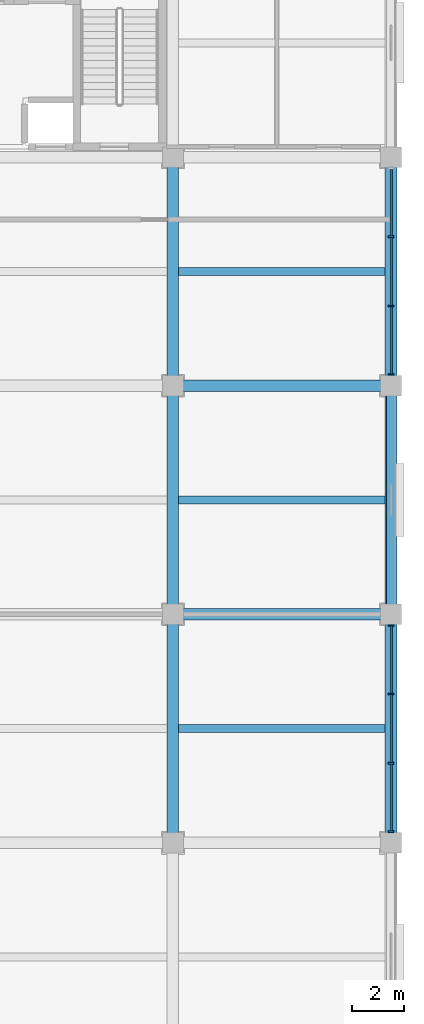
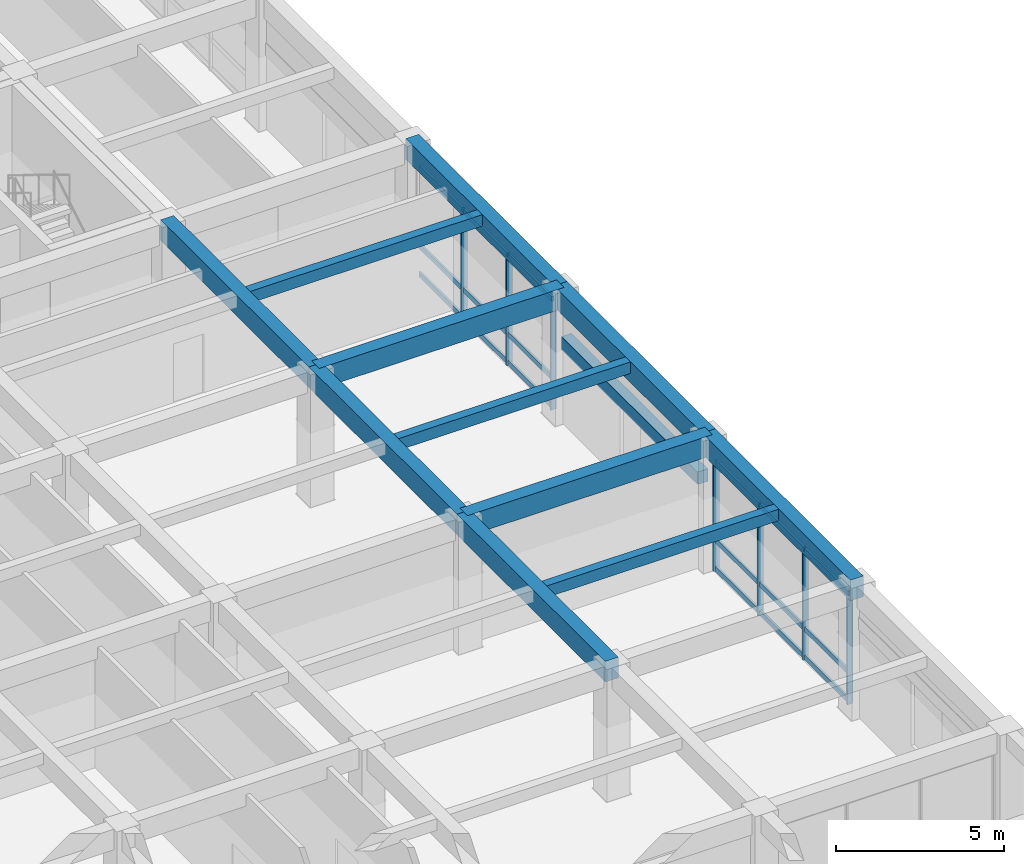
# One storey, part 23 of 58: 25 members, 12 beams, 2 elements without a shape of their own.
"""IFC4 building model written with IfcOpenShell, lengths in metres."""

from ifc_helpers import new_model, si_unit, direction, frame, origin, origin_2d, place, context, subcontext, project, spatial, rectangle, extrude, material, material_profile, profile_set, type_object, element, aggregate, save


model = new_model("IFC4")

# Units and contexts
model_context = context("Model", 3, precision=1e-05, world=origin(), true_north=direction((0.0, 1.0)))
body_context = subcontext(model_context, "Body", "Model", "MODEL_VIEW")
ifc_project = project(units=[si_unit("LENGTHUNIT", "METRE"), si_unit("AREAUNIT", "SQUARE_METRE"), si_unit("VOLUMEUNIT", "CUBIC_METRE"), si_unit("PLANEANGLEUNIT", "RADIAN"), si_unit("MASSUNIT", "GRAM", prefix="KILO")], contexts=[model_context])

# Site, building, storey
site_placement = place(None, origin())
site = spatial("IfcSite", under=ifc_project, at=site_placement, CompositionType="ELEMENT")
building_placement = place(site_placement, origin())
building = spatial("IfcBuilding", under=site, at=building_placement, Name="Kemercrest Conservatory and Botanical Centre", CompositionType="ELEMENT")
storey_placement = place(building_placement, origin())
storey = spatial("IfcBuildingStorey", under=building, at=storey_placement, Name="L00", CompositionType="ELEMENT", Elevation=0.0)

# Beams
ifc_material_1 = material(Name="Concrete C40/50", Category="concrete")
ifc_material_profile_1 = material_profile(ifc_material_1, rectangle(XDim=0.449951171875, YDim=0.75, at=origin_2d()), Name="RC 450x750")
ifc_profile_set_1 = profile_set([ifc_material_profile_1], Name="Concrete C40/50")
beam_type_1 = type_object("IfcBeamType", Name="BM-RC75", PredefinedType="BEAM", material=ifc_profile_set_1)
for number, where, z_axis, x_axis, name in (
    (1, (167.60009765625, 87.199951171875, 4.425048828125), (1.0, 0.0, 0.0), (0.0, 1.0, 0.0), "V4-L01 beam BM-RC75 K/20-21"),
    (2, (167.60009765625, 96.0, 4.425048828125), (1.0, 0.0, 0.0), (0.0, 1.0, 0.0), "V4-L01 beam BM-RC75 L/20-21"),
):
    element("IfcBeam", number, at=place(storey_placement, frame(where, z_axis=z_axis, x_axis=x_axis)), inside=storey, type_object=beam_type_1, Name=name, PredefinedType="BEAM", context=body_context, shape_type="SweptSolid", body=[
        extrude(rectangle(XDim=0.449951171875, YDim=0.75, at=origin_2d()), origin(), (0.0, 0.0, 1.0), 8.39990234375),
    ])
for number, where, z_axis, x_axis, name in (
    (3, (167.60009765625, 78.39990234375, 4.425048828125), (0.0, 1.0, 0.0), (-1.0, 0.0, 0.0), "V4-L01 beam BM-RC75 20/J-K"),
    (4, (167.60009765625, 87.199951171875, 4.425048828125), (0.0, 1.0, 0.0), (-1.0, 0.0, 0.0), "V4-L01 beam BM-RC75 20/K-L"),
    (5, (167.60009765625, 96.0, 4.425048828125), (0.0, 1.0, 0.0), (-1.0, 0.0, 0.0), "V4-L01 beam BM-RC75 20/L-M"),
):
    element("IfcBeam", number, at=place(storey_placement, frame(where, z_axis=z_axis, x_axis=x_axis)), inside=storey, type_object=beam_type_1, Name=name, PredefinedType="BEAM", context=body_context, shape_type="SweptSolid", body=[
        extrude(rectangle(XDim=0.449951171875, YDim=0.75, at=origin_2d()), origin(), (0.0, 0.0, 1.0), 8.800048828125),
    ])

# Curtain wall, members
ifc_material_2 = material(Name="Thermally broken aluminium and triple low-e glazing", Category="aluminium")
curtain_wall_type_1 = type_object("IfcCurtainWallType", Name="CW-15", PredefinedType="USERDEFINED", material=ifc_material_2)
curtain_wall_1_placement = place(storey_placement, origin())
curtain_wall_1 = element("IfcCurtainWall", 6, at=curtain_wall_1_placement, inside=storey, type_object=curtain_wall_type_1, Name="Unitised curtain wall CW-15 (CW:L00:V4-044)", ObjectType="UNITISED CURTAIN WALL", PredefinedType="USERDEFINED")
ifc_material_3 = material(Name="Thermally broken anodized aluminium 6063-T6", Category="aluminium")
ifc_material_profile_2 = material_profile(ifc_material_3, rectangle(XDim=0.199951171875, YDim=0.06494140625, at=origin_2d()), Name="AL MULLION 65x200")
ifc_profile_set_2 = profile_set([ifc_material_profile_2], Name="Thermally broken anodized aluminium 6063-T6")
member_type_1 = type_object("IfcMemberType", Name="CW-M200", PredefinedType="MULLION", material=ifc_profile_set_2)
member_1_placement = place(storey_placement, frame((176.0, 78.827392578125, 0.0), z_axis=(0.0, 0.0, 1.0), x_axis=(-1.0, 0.0, 0.0)))
member_1 = element("IfcMember", 7, at=member_1_placement, type_object=member_type_1, Name="CW-15 mullion 1", PredefinedType="MULLION", context=body_context, shape_type="SweptSolid", body=[
    extrude(rectangle(XDim=0.199951171875, YDim=0.06494140625, at=origin_2d()), origin(), (0.0, 0.0, 1.0), 4.054931640625),
])
member_2_placement = place(storey_placement, frame((176.0, 81.465087890625, 0.0), z_axis=(0.0, 0.0, 1.0), x_axis=(-1.0, 0.0, 0.0)))
member_2 = element("IfcMember", 8, at=member_2_placement, type_object=member_type_1, Name="CW-15 mullion 2", PredefinedType="MULLION", context=body_context, shape_type="SweptSolid", body=[
    extrude(rectangle(XDim=0.199951171875, YDim=0.06494140625, at=origin_2d()), origin(), (0.0, 0.0, 1.0), 4.054931640625),
])
member_3_placement = place(storey_placement, frame((176.0, 84.135009765625, 0.0), z_axis=(0.0, 0.0, 1.0), x_axis=(-1.0, 0.0, 0.0)))
member_3 = element("IfcMember", 9, at=member_3_placement, type_object=member_type_1, Name="CW-15 mullion 3", PredefinedType="MULLION", context=body_context, shape_type="SweptSolid", body=[
    extrude(rectangle(XDim=0.199951171875, YDim=0.06494140625, at=origin_2d()), origin(), (0.0, 0.0, 1.0), 4.054931640625),
])
member_4_placement = place(storey_placement, frame((176.0, 86.7724609375, 0.0), z_axis=(0.0, 0.0, 1.0), x_axis=(-1.0, 0.0, 0.0)))
member_4 = element("IfcMember", 10, at=member_4_placement, type_object=member_type_1, Name="CW-15 mullion 4", PredefinedType="MULLION", context=body_context, shape_type="SweptSolid", body=[
    extrude(rectangle(XDim=0.199951171875, YDim=0.06494140625, at=origin_2d()), origin(), (0.0, 0.0, 1.0), 4.054931640625),
])

curtain_wall_type_2 = type_object("IfcCurtainWallType", Name="CW-16", PredefinedType="USERDEFINED", material=ifc_material_2)
curtain_wall_2_placement = place(storey_placement, origin())
curtain_wall_2 = element("IfcCurtainWall", 11, at=curtain_wall_2_placement, inside=storey, type_object=curtain_wall_type_2, Name="Unitised curtain wall CW-16 (CW:L00:V4-045)", ObjectType="UNITISED CURTAIN WALL", PredefinedType="USERDEFINED")
member_5_placement = place(storey_placement, frame((176.0, 96.427490234375, 0.0), z_axis=(0.0, 0.0, 1.0), x_axis=(-1.0, 0.0, 0.0)))
member_5 = element("IfcMember", 12, at=member_5_placement, type_object=member_type_1, Name="CW-16 mullion 1", PredefinedType="MULLION", context=body_context, shape_type="SweptSolid", body=[
    extrude(rectangle(XDim=0.199951171875, YDim=0.06494140625, at=origin_2d()), origin(), (0.0, 0.0, 1.0), 4.054931640625),
])
member_6_placement = place(storey_placement, frame((176.0, 99.06494140625, 0.0), z_axis=(0.0, 0.0, 1.0), x_axis=(-1.0, 0.0, 0.0)))
member_6 = element("IfcMember", 13, at=member_6_placement, type_object=member_type_1, Name="CW-16 mullion 2", PredefinedType="MULLION", context=body_context, shape_type="SweptSolid", body=[
    extrude(rectangle(XDim=0.199951171875, YDim=0.06494140625, at=origin_2d()), origin(), (0.0, 0.0, 1.0), 4.054931640625),
])
member_7_placement = place(storey_placement, frame((176.0, 101.735107421875, 0.0), z_axis=(0.0, 0.0, 1.0), x_axis=(-1.0, 0.0, 0.0)))
member_7 = element("IfcMember", 14, at=member_7_placement, type_object=member_type_1, Name="CW-16 mullion 3", PredefinedType="MULLION", context=body_context, shape_type="SweptSolid", body=[
    extrude(rectangle(XDim=0.199951171875, YDim=0.06494140625, at=origin_2d()), origin(), (0.0, 0.0, 1.0), 4.054931640625),
])

# Member
ifc_material_profile_3 = material_profile(ifc_material_3, rectangle(XDim=0.074951171875, YDim=0.179931640625, at=origin_2d()), Name="AL TRANSOM 75x180")
ifc_profile_set_3 = profile_set([ifc_material_profile_3], Name="Thermally broken anodized aluminium 6063-T6")
member_type_2 = type_object("IfcMemberType", Name="CW-T180", PredefinedType="USERDEFINED", material=ifc_profile_set_3)
member_8_placement = place(storey_placement, frame((176.0, 78.860107421875, 0.090087890625), z_axis=(0.0, 1.0, 0.0), x_axis=(-1.0, 0.0, 0.0)))
member_8 = element("IfcMember", 15, at=member_8_placement, type_object=member_type_2, Name="CW-15 transom 1.1", ObjectType="TRANSOM", PredefinedType="USERDEFINED", context=body_context, shape_type="SweptSolid", body=[
    extrude(rectangle(XDim=0.074951171875, YDim=0.179931640625, at=origin_2d()), origin(), (0.0, 0.0, 1.0), 2.572509765625),
])

member_9_placement = place(storey_placement, frame((176.0, 78.860107421875, 1.1201171875), z_axis=(0.0, 1.0, 0.0), x_axis=(-1.0, 0.0, 0.0)))
member_9 = element("IfcMember", 16, at=member_9_placement, type_object=member_type_2, Name="CW-15 transom 1.2", ObjectType="TRANSOM", PredefinedType="USERDEFINED", context=body_context, shape_type="SweptSolid", body=[
    extrude(rectangle(XDim=0.074951171875, YDim=0.179931640625, at=origin_2d()), origin(), (0.0, 0.0, 1.0), 2.572509765625),
])

member_10_placement = place(storey_placement, frame((176.0, 78.860107421875, 3.965087890625), z_axis=(0.0, 1.0, 0.0), x_axis=(-1.0, 0.0, 0.0)))
member_10 = element("IfcMember", 17, at=member_10_placement, type_object=member_type_2, Name="CW-15 transom 1.3", ObjectType="TRANSOM", PredefinedType="USERDEFINED", context=body_context, shape_type="SweptSolid", body=[
    extrude(rectangle(XDim=0.074951171875, YDim=0.179931640625, at=origin_2d()), origin(), (0.0, 0.0, 1.0), 2.572509765625),
])

member_11_placement = place(storey_placement, frame((176.0, 81.49755859375, 0.090087890625), z_axis=(0.0, 1.0, 0.0), x_axis=(-1.0, 0.0, 0.0)))
member_11 = element("IfcMember", 18, at=member_11_placement, type_object=member_type_2, Name="CW-15 transom 2.1", ObjectType="TRANSOM", PredefinedType="USERDEFINED", context=body_context, shape_type="SweptSolid", body=[
    extrude(rectangle(XDim=0.074951171875, YDim=0.179931640625, at=origin_2d()), origin(), (0.0, 0.0, 1.0), 2.60498046875),
])

member_12_placement = place(storey_placement, frame((176.0, 81.49755859375, 1.1201171875), z_axis=(0.0, 1.0, 0.0), x_axis=(-1.0, 0.0, 0.0)))
member_12 = element("IfcMember", 19, at=member_12_placement, type_object=member_type_2, Name="CW-15 transom 2.2", ObjectType="TRANSOM", PredefinedType="USERDEFINED", context=body_context, shape_type="SweptSolid", body=[
    extrude(rectangle(XDim=0.074951171875, YDim=0.179931640625, at=origin_2d()), origin(), (0.0, 0.0, 1.0), 2.60498046875),
])

member_13_placement = place(storey_placement, frame((176.0, 81.49755859375, 3.965087890625), z_axis=(0.0, 1.0, 0.0), x_axis=(-1.0, 0.0, 0.0)))
member_13 = element("IfcMember", 20, at=member_13_placement, type_object=member_type_2, Name="CW-15 transom 2.3", ObjectType="TRANSOM", PredefinedType="USERDEFINED", context=body_context, shape_type="SweptSolid", body=[
    extrude(rectangle(XDim=0.074951171875, YDim=0.179931640625, at=origin_2d()), origin(), (0.0, 0.0, 1.0), 2.60498046875),
])

member_14_placement = place(storey_placement, frame((176.0, 84.16748046875, 0.090087890625), z_axis=(0.0, 1.0, 0.0), x_axis=(-1.0, 0.0, 0.0)))
member_14 = element("IfcMember", 21, at=member_14_placement, type_object=member_type_2, Name="CW-15 transom 3.1", ObjectType="TRANSOM", PredefinedType="USERDEFINED", context=body_context, shape_type="SweptSolid", body=[
    extrude(rectangle(XDim=0.074951171875, YDim=0.179931640625, at=origin_2d()), origin(), (0.0, 0.0, 1.0), 2.572509765625),
])

member_15_placement = place(storey_placement, frame((176.0, 84.16748046875, 1.1201171875), z_axis=(0.0, 1.0, 0.0), x_axis=(-1.0, 0.0, 0.0)))
member_15 = element("IfcMember", 22, at=member_15_placement, type_object=member_type_2, Name="CW-15 transom 3.2", ObjectType="TRANSOM", PredefinedType="USERDEFINED", context=body_context, shape_type="SweptSolid", body=[
    extrude(rectangle(XDim=0.074951171875, YDim=0.179931640625, at=origin_2d()), origin(), (0.0, 0.0, 1.0), 2.572509765625),
])

member_16_placement = place(storey_placement, frame((176.0, 84.16748046875, 3.965087890625), z_axis=(0.0, 1.0, 0.0), x_axis=(-1.0, 0.0, 0.0)))
member_16 = element("IfcMember", 23, at=member_16_placement, type_object=member_type_2, Name="CW-15 transom 3.3", ObjectType="TRANSOM", PredefinedType="USERDEFINED", context=body_context, shape_type="SweptSolid", body=[
    extrude(rectangle(XDim=0.074951171875, YDim=0.179931640625, at=origin_2d()), origin(), (0.0, 0.0, 1.0), 2.572509765625),
])

aggregate(curtain_wall_1, [member_1, member_2, member_3, member_4, member_8, member_9, member_10, member_11, member_12, member_13, member_14, member_15, member_16])

member_17_placement = place(storey_placement, frame((176.0, 96.4599609375, 0.090087890625), z_axis=(0.0, 1.0, 0.0), x_axis=(-1.0, 0.0, 0.0)))
member_17 = element("IfcMember", 24, at=member_17_placement, type_object=member_type_2, Name="CW-16 transom 1.1", ObjectType="TRANSOM", PredefinedType="USERDEFINED", context=body_context, shape_type="SweptSolid", body=[
    extrude(rectangle(XDim=0.074951171875, YDim=0.179931640625, at=origin_2d()), origin(), (0.0, 0.0, 1.0), 2.572509765625),
])

member_18_placement = place(storey_placement, frame((176.0, 96.4599609375, 1.1201171875), z_axis=(0.0, 1.0, 0.0), x_axis=(-1.0, 0.0, 0.0)))
member_18 = element("IfcMember", 25, at=member_18_placement, type_object=member_type_2, Name="CW-16 transom 1.2", ObjectType="TRANSOM", PredefinedType="USERDEFINED", context=body_context, shape_type="SweptSolid", body=[
    extrude(rectangle(XDim=0.074951171875, YDim=0.179931640625, at=origin_2d()), origin(), (0.0, 0.0, 1.0), 2.572509765625),
])

member_19_placement = place(storey_placement, frame((176.0, 96.4599609375, 3.965087890625), z_axis=(0.0, 1.0, 0.0), x_axis=(-1.0, 0.0, 0.0)))
member_19 = element("IfcMember", 26, at=member_19_placement, type_object=member_type_2, Name="CW-16 transom 1.3", ObjectType="TRANSOM", PredefinedType="USERDEFINED", context=body_context, shape_type="SweptSolid", body=[
    extrude(rectangle(XDim=0.074951171875, YDim=0.179931640625, at=origin_2d()), origin(), (0.0, 0.0, 1.0), 2.572509765625),
])

member_20_placement = place(storey_placement, frame((176.0, 99.097412109375, 0.090087890625), z_axis=(0.0, 1.0, 0.0), x_axis=(-1.0, 0.0, 0.0)))
member_20 = element("IfcMember", 27, at=member_20_placement, type_object=member_type_2, Name="CW-16 transom 2.1", ObjectType="TRANSOM", PredefinedType="USERDEFINED", context=body_context, shape_type="SweptSolid", body=[
    extrude(rectangle(XDim=0.074951171875, YDim=0.179931640625, at=origin_2d()), origin(), (0.0, 0.0, 1.0), 2.60498046875),
])

member_21_placement = place(storey_placement, frame((176.0, 99.097412109375, 1.1201171875), z_axis=(0.0, 1.0, 0.0), x_axis=(-1.0, 0.0, 0.0)))
member_21 = element("IfcMember", 28, at=member_21_placement, type_object=member_type_2, Name="CW-16 transom 2.2", ObjectType="TRANSOM", PredefinedType="USERDEFINED", context=body_context, shape_type="SweptSolid", body=[
    extrude(rectangle(XDim=0.074951171875, YDim=0.179931640625, at=origin_2d()), origin(), (0.0, 0.0, 1.0), 2.60498046875),
])

member_22_placement = place(storey_placement, frame((176.0, 99.097412109375, 3.965087890625), z_axis=(0.0, 1.0, 0.0), x_axis=(-1.0, 0.0, 0.0)))
member_22 = element("IfcMember", 29, at=member_22_placement, type_object=member_type_2, Name="CW-16 transom 2.3", ObjectType="TRANSOM", PredefinedType="USERDEFINED", context=body_context, shape_type="SweptSolid", body=[
    extrude(rectangle(XDim=0.074951171875, YDim=0.179931640625, at=origin_2d()), origin(), (0.0, 0.0, 1.0), 2.60498046875),
])

member_23_placement = place(storey_placement, frame((176.0, 101.767578125, 0.090087890625), z_axis=(0.0, 1.0, 0.0), x_axis=(-1.0, 0.0, 0.0)))
member_23 = element("IfcMember", 30, at=member_23_placement, type_object=member_type_2, Name="CW-16 transom 3.1", ObjectType="TRANSOM", PredefinedType="USERDEFINED", context=body_context, shape_type="SweptSolid", body=[
    extrude(rectangle(XDim=0.074951171875, YDim=0.179931640625, at=origin_2d()), origin(), (0.0, 0.0, 1.0), 2.572509765625),
])

member_24_placement = place(storey_placement, frame((176.0, 101.767578125, 1.1201171875), z_axis=(0.0, 1.0, 0.0), x_axis=(-1.0, 0.0, 0.0)))
member_24 = element("IfcMember", 31, at=member_24_placement, type_object=member_type_2, Name="CW-16 transom 3.2", ObjectType="TRANSOM", PredefinedType="USERDEFINED", context=body_context, shape_type="SweptSolid", body=[
    extrude(rectangle(XDim=0.074951171875, YDim=0.179931640625, at=origin_2d()), origin(), (0.0, 0.0, 1.0), 2.572509765625),
])

member_25_placement = place(storey_placement, frame((176.0, 101.767578125, 3.965087890625), z_axis=(0.0, 1.0, 0.0), x_axis=(-1.0, 0.0, 0.0)))
member_25 = element("IfcMember", 32, at=member_25_placement, type_object=member_type_2, Name="CW-16 transom 3.3", ObjectType="TRANSOM", PredefinedType="USERDEFINED", context=body_context, shape_type="SweptSolid", body=[
    extrude(rectangle(XDim=0.074951171875, YDim=0.179931640625, at=origin_2d()), origin(), (0.0, 0.0, 1.0), 2.572509765625),
])

aggregate(curtain_wall_2, [member_5, member_6, member_7, member_17, member_18, member_19, member_20, member_21, member_22, member_23, member_24, member_25])

# Beams
ifc_material_profile_4 = material_profile(ifc_material_1, rectangle(XDim=0.300048828125, YDim=0.419921875, at=origin_2d()), Name="RC 300x420")
ifc_profile_set_4 = profile_set([ifc_material_profile_4], Name="Concrete C40/50")
beam_type_2 = type_object("IfcBeamType", Name="JS-RC42", PredefinedType="JOIST", material=ifc_profile_set_4)
for number, where, z_axis, x_axis, name in (
    (33, (167.824951171875, 82.800048828125, 4.590087890625), (1.0, 0.0, 0.0), (0.0, 1.0, 0.0), "V4-L01 secondary joist JS-RC42"),
    (34, (167.824951171875, 91.60009765625, 4.590087890625), (1.0, 0.0, 0.0), (0.0, 1.0, 0.0), "V4-L01 secondary joist JS-RC42"),
    (35, (167.824951171875, 100.39990234375, 4.590087890625), (1.0, 0.0, 0.0), (0.0, 1.0, 0.0), "V4-L01 secondary joist JS-RC42"),
):
    element("IfcBeam", number, at=place(storey_placement, frame(where, z_axis=z_axis, x_axis=x_axis)), inside=storey, type_object=beam_type_2, Name=name, PredefinedType="JOIST", context=body_context, shape_type="SweptSolid", body=[
        extrude(rectangle(XDim=0.300048828125, YDim=0.419921875, at=origin_2d()), origin(), (0.0, 0.0, 1.0), 7.949951171875),
    ])
ifc_material_4 = material(Name="Precast concrete C40/50", Category="concrete")
ifc_material_profile_5 = material_profile(ifc_material_4, rectangle(XDim=0.35009765625, YDim=0.449951171875, at=origin_2d()), Name="RC 350x450")
ifc_profile_set_5 = profile_set([ifc_material_profile_5], Name="Precast concrete C40/50")
beam_type_3 = type_object("IfcBeamType", Name="LN-RC45", PredefinedType="LINTEL", material=ifc_profile_set_5)
beam_placement = place(storey_placement, frame((176.0, 87.550048828125, 2.925048828125), z_axis=(0.0, 1.0, 0.0), x_axis=(-1.0, 0.0, 0.0)))
element("IfcBeam", 36, at=beam_placement, inside=storey, type_object=beam_type_3, Name="Precast arched window lintel (WIN:L00:EXT-162)", PredefinedType="LINTEL", context=body_context, shape_type="SweptSolid", body=[
    extrude(rectangle(XDim=0.35009765625, YDim=0.449951171875, at=origin_2d()), origin(), (0.0, 0.0, 1.0), 8.099853515625),
])
ifc_material_profile_6 = material_profile(ifc_material_1, rectangle(XDim=0.449951171875, YDim=0.75, at=origin_2d()), Name="RC 450x750")
ifc_profile_set_6 = profile_set([ifc_material_profile_6], Name="Concrete C40/50")
beam_type_4 = type_object("IfcBeamType", Name="SP-RC75", PredefinedType="SPANDREL", material=ifc_profile_set_6)
for number, where, z_axis, x_axis, name in (
    (37, (176.0, 78.39990234375, 4.425048828125), (0.0, 1.0, 0.0), (-1.0, 0.0, 0.0), "V4-L01 beam SP-RC75 21/J-K"),
    (38, (176.0, 87.199951171875, 4.425048828125), (0.0, 1.0, 0.0), (-1.0, 0.0, 0.0), "V4-L01 beam SP-RC75 21/K-L"),
    (39, (176.0, 96.0, 4.425048828125), (0.0, 1.0, 0.0), (-1.0, 0.0, 0.0), "V4-L01 beam SP-RC75 21/L-M"),
):
    element("IfcBeam", number, at=place(storey_placement, frame(where, z_axis=z_axis, x_axis=x_axis)), inside=storey, type_object=beam_type_4, Name=name, PredefinedType="SPANDREL", context=body_context, shape_type="SweptSolid", body=[
        extrude(rectangle(XDim=0.449951171875, YDim=0.75, at=origin_2d()), origin(), (0.0, 0.0, 1.0), 8.800048828125),
    ])

save(model, "model.ifc")
